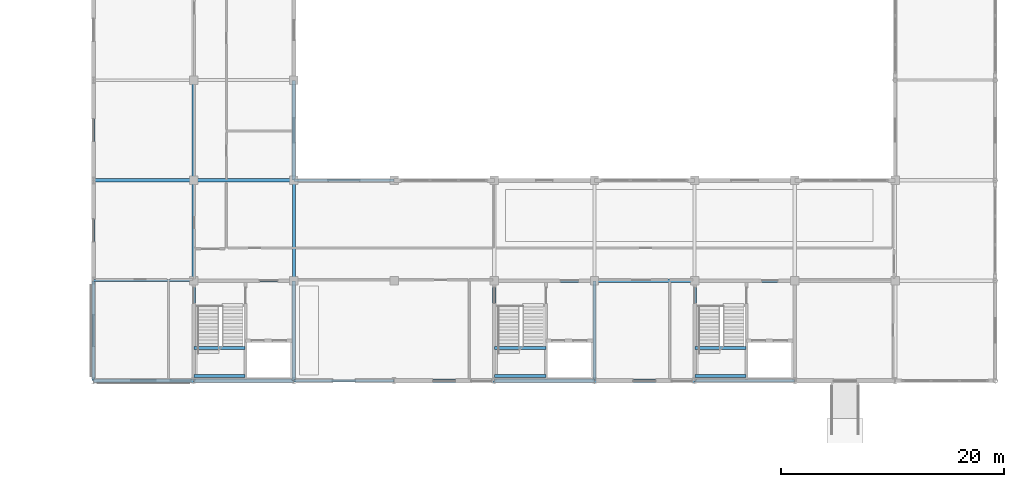
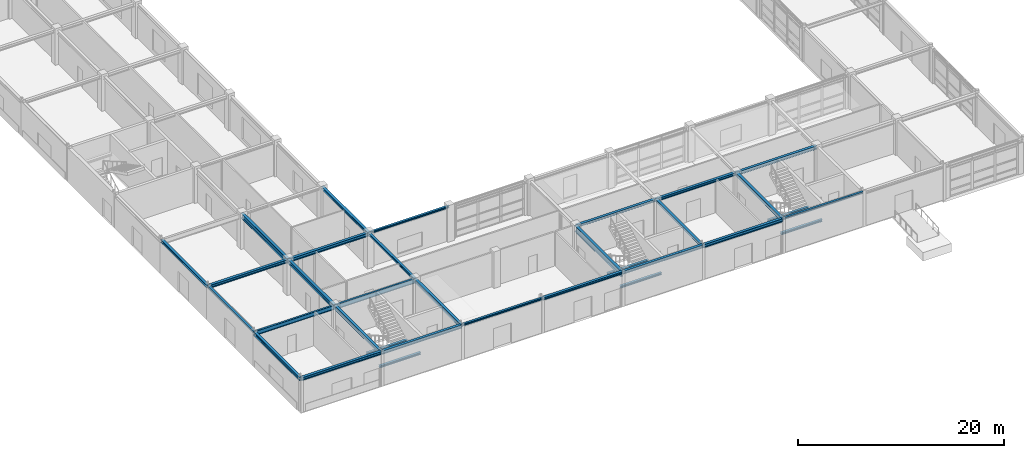
# One storey, part 20 of 72: 33 beams.
"""IFC4 building model written with IfcOpenShell, lengths in metres."""

from ifc_helpers import new_model, si_unit, direction, frame, origin, origin_2d, place, context, subcontext, project, spatial, i_section, extrude, material, material_profile, profile_set, type_object, element, save


model = new_model("IFC4")

# Units and contexts
model_context = context("Model", 3, precision=1e-05, world=origin(), true_north=direction((0.0, 1.0)))
body_context = subcontext(model_context, "Body", "Model", "MODEL_VIEW")
ifc_project = project(units=[si_unit("LENGTHUNIT", "METRE"), si_unit("AREAUNIT", "SQUARE_METRE"), si_unit("VOLUMEUNIT", "CUBIC_METRE"), si_unit("PLANEANGLEUNIT", "RADIAN"), si_unit("MASSUNIT", "GRAM", prefix="KILO")], contexts=[model_context])

# Site, building, storey
site_placement = place(None, origin())
site = spatial("IfcSite", under=ifc_project, at=site_placement, CompositionType="ELEMENT")
building_placement = place(site_placement, origin())
building = spatial("IfcBuilding", under=site, at=building_placement, Name="Palais des Congres Ocreval", CompositionType="ELEMENT")
storey_placement = place(building_placement, origin())
storey = spatial("IfcBuildingStorey", under=building, at=storey_placement, Name="L00", CompositionType="ELEMENT", Elevation=0.0)

# Beams
ifc_material = material(Name="Steel S355", Category="steel")
ifc_material_profile_1 = material_profile(ifc_material, i_section(OverallWidth=0.199951171875, OverallDepth=0.5, WebThickness=0.01025390625, FlangeThickness=0.01611328125, at=origin_2d()), Name="IPE 500")
ifc_profile_set_1 = profile_set([ifc_material_profile_1], Name="Steel S355")
beam_type_1 = type_object("IfcBeamType", Name="Composite Beam IPE 500 Steel S355", PredefinedType="BEAM", material=ifc_profile_set_1)
beam_1_placement = place(storey_placement, frame((0.02001953125, 9.0, 3.804931640625), z_axis=(1.0, 0.0, 0.0), x_axis=(0.0, 1.0, 0.0)))
element("IfcBeam", 1, at=beam_1_placement, inside=storey, type_object=beam_type_1, Name="Beam B04 L00", PredefinedType="BEAM", context=body_context, shape_type="SweptSolid", body=[
    extrude(i_section(OverallWidth=0.199951171875, OverallDepth=0.5, WebThickness=0.01025390625, FlangeThickness=0.01611328125, at=origin_2d()), origin(), (0.0, 0.0, 1.0), 8.9599609375),
])
ifc_material_profile_2 = material_profile(ifc_material, i_section(OverallWidth=0.2099609375, OverallDepth=0.550048828125, WebThickness=0.010986328125, FlangeThickness=0.01708984375, at=origin_2d()), Name="IPE 550")
ifc_profile_set_2 = profile_set([ifc_material_profile_2], Name="Steel S355")
beam_type_2 = type_object("IfcBeamType", Name="Composite Beam IPE 550 Steel S355", PredefinedType="BEAM", material=ifc_profile_set_2)
beam_2_placement = place(storey_placement, frame((9.02001953125, 9.0, 3.780029296875), z_axis=(1.0, 0.0, 0.0), x_axis=(0.0, 1.0, 0.0)))
element("IfcBeam", 2, at=beam_2_placement, inside=storey, type_object=beam_type_2, Name="Beam B05 L00", PredefinedType="BEAM", context=body_context, shape_type="SweptSolid", body=[
    extrude(i_section(OverallWidth=0.2099609375, OverallDepth=0.550048828125, WebThickness=0.010986328125, FlangeThickness=0.01708984375, at=origin_2d()), origin(), (0.0, 0.0, 1.0), 8.9599609375),
])
ifc_material_profile_3 = material_profile(ifc_material, i_section(OverallWidth=0.260009765625, OverallDepth=0.260009765625, WebThickness=0.010009765625, FlangeThickness=0.017578125, at=origin_2d()), Name="HEB 260")
ifc_profile_set_3 = profile_set([ifc_material_profile_3], Name="Steel S355")
beam_type_3 = type_object("IfcBeamType", Name="Opening Lintel HEB 260 Steel S355", PredefinedType="LINTEL", material=ifc_profile_set_3)
for number, where, z_axis, x_axis, name in (
    (3, (0.0, 9.02001953125, 3.925048828125), (0.0, 1.0, 0.0), (-1.0, 0.0, 0.0), "Girder LN01 L00"),
    (4, (18.0, 9.02001953125, 3.925048828125), (0.0, 1.0, 0.0), (-1.0, 0.0, 0.0), "Girder LN01 L00"),
):
    element("IfcBeam", number, at=place(storey_placement, frame(where, z_axis=z_axis, x_axis=x_axis)), inside=storey, type_object=beam_type_3, Name=name, PredefinedType="LINTEL", context=body_context, shape_type="SweptSolid", body=[
        extrude(i_section(OverallWidth=0.260009765625, OverallDepth=0.260009765625, WebThickness=0.010009765625, FlangeThickness=0.017578125, at=origin_2d()), origin(), (0.0, 0.0, 1.0), 8.9599609375),
    ])
for number, where, z_axis, x_axis, name in (
    (5, (9.02001953125, 0.419921875, 1.909912109375), (1.0, 0.0, 0.0), (0.0, 1.0, 0.0), "Stair Landing Support Beam ST01 L00-1"),
    (6, (9.02001953125, 2.929931640625, 1.909912109375), (1.0, 0.0, 0.0), (0.0, 1.0, 0.0), "Stair Landing Support Beam ST01 L00-2"),
    (7, (36.02001953125, 0.419921875, 1.909912109375), (1.0, 0.0, 0.0), (0.0, 1.0, 0.0), "Stair Landing Support Beam ST02 L00-1"),
    (8, (36.02001953125, 2.929931640625, 1.909912109375), (1.0, 0.0, 0.0), (0.0, 1.0, 0.0), "Stair Landing Support Beam ST02 L00-2"),
    (9, (54.02001953125, 0.419921875, 1.909912109375), (1.0, 0.0, 0.0), (0.0, 1.0, 0.0), "Stair Landing Support Beam ST04 L00-1"),
    (10, (54.02001953125, 2.929931640625, 1.909912109375), (1.0, 0.0, 0.0), (0.0, 1.0, 0.0), "Stair Landing Support Beam ST04 L00-2"),
):
    element("IfcBeam", number, at=place(storey_placement, frame(where, z_axis=z_axis, x_axis=x_axis)), inside=storey, type_object=beam_type_3, Name=name, PredefinedType="LINTEL", context=body_context, shape_type="SweptSolid", body=[
        extrude(i_section(OverallWidth=0.260009765625, OverallDepth=0.260009765625, WebThickness=0.010009765625, FlangeThickness=0.017578125, at=origin_2d()), origin(), (0.0, 0.0, 1.0), 4.60986328125),
    ])
ifc_material_profile_4 = material_profile(ifc_material, i_section(OverallWidth=0.239990234375, OverallDepth=0.22998046875, WebThickness=0.007568359375, FlangeThickness=0.011962890625, at=origin_2d()), Name="HEA 240")
ifc_profile_set_4 = profile_set([ifc_material_profile_4], Name="Steel S355")
beam_type_4 = type_object("IfcBeamType", Name="Perimeter Spandrel HEA 240 Steel S355", PredefinedType="SPANDREL", material=ifc_profile_set_4)
for number, where, z_axis, x_axis, name in (
    (11, (18.02001953125, 0.0, 3.93994140625), (1.0, 0.0, 0.0), (0.0, 1.0, 0.0), "Beam SP01 L00"),
    (12, (18.02001953125, 18.0, 3.93994140625), (1.0, 0.0, 0.0), (0.0, 1.0, 0.0), "Beam SP01 L00"),
    (13, (54.02001953125, 0.0, 3.93994140625), (1.0, 0.0, 0.0), (0.0, 1.0, 0.0), "Beam SP01 L00"),
):
    element("IfcBeam", number, at=place(storey_placement, frame(where, z_axis=z_axis, x_axis=x_axis)), inside=storey, type_object=beam_type_4, Name=name, PredefinedType="SPANDREL", context=body_context, shape_type="SweptSolid", body=[
        extrude(i_section(OverallWidth=0.239990234375, OverallDepth=0.22998046875, WebThickness=0.007568359375, FlangeThickness=0.011962890625, at=origin_2d()), origin(), (0.0, 0.0, 1.0), 8.9599609375),
    ])
ifc_material_profile_5 = material_profile(ifc_material, i_section(OverallWidth=0.300048828125, OverallDepth=0.300048828125, WebThickness=0.010986328125, FlangeThickness=0.01904296875, at=origin_2d()), Name="HEB 300")
ifc_profile_set_5 = profile_set([ifc_material_profile_5], Name="Steel S355")
beam_type_5 = type_object("IfcBeamType", Name="Perimeter Spandrel HEB 300 Steel S355", PredefinedType="SPANDREL", material=ifc_profile_set_5)
for number, where, z_axis, x_axis, name in (
    (14, (0.0, 18.02001953125, 3.905029296875), (0.0, 1.0, 0.0), (-1.0, 0.0, 0.0), "Girder SP02 L00"),
    (15, (18.0, 18.02001953125, 3.905029296875), (0.0, 1.0, 0.0), (-1.0, 0.0, 0.0), "Girder SP02 L00"),
    (16, (27.02001953125, 0.0, 3.905029296875), (1.0, 0.0, 0.0), (0.0, 1.0, 0.0), "Beam SP02 L00"),
):
    element("IfcBeam", number, at=place(storey_placement, frame(where, z_axis=z_axis, x_axis=x_axis)), inside=storey, type_object=beam_type_5, Name=name, PredefinedType="SPANDREL", context=body_context, shape_type="SweptSolid", body=[
        extrude(i_section(OverallWidth=0.300048828125, OverallDepth=0.300048828125, WebThickness=0.010986328125, FlangeThickness=0.01904296875, at=origin_2d()), origin(), (0.0, 0.0, 1.0), 8.9599609375),
    ])
ifc_material_profile_6 = material_profile(ifc_material, i_section(OverallWidth=0.300048828125, OverallDepth=0.360107421875, WebThickness=0.012451171875, FlangeThickness=0.0224609375, at=origin_2d()), Name="HEB 360")
ifc_profile_set_6 = profile_set([ifc_material_profile_6], Name="Steel S355")
beam_type_6 = type_object("IfcBeamType", Name="Perimeter Spandrel HEB 360 Steel S355", PredefinedType="SPANDREL", material=ifc_profile_set_6)
for number, where, z_axis, x_axis, name in (
    (17, (0.02001953125, 0.0, 3.875), (1.0, 0.0, 0.0), (0.0, 1.0, 0.0), "Beam SP03 L00"),
    (18, (0.02001953125, 18.0, 3.875), (1.0, 0.0, 0.0), (0.0, 1.0, 0.0), "Beam SP03 L00"),
    (19, (36.02001953125, 0.0, 3.875), (1.0, 0.0, 0.0), (0.0, 1.0, 0.0), "Beam SP03 L00"),
):
    element("IfcBeam", number, at=place(storey_placement, frame(where, z_axis=z_axis, x_axis=x_axis)), inside=storey, type_object=beam_type_6, Name=name, PredefinedType="SPANDREL", context=body_context, shape_type="SweptSolid", body=[
        extrude(i_section(OverallWidth=0.300048828125, OverallDepth=0.360107421875, WebThickness=0.012451171875, FlangeThickness=0.0224609375, at=origin_2d()), origin(), (0.0, 0.0, 1.0), 8.9599609375),
    ])
ifc_material_profile_7 = material_profile(ifc_material, i_section(OverallWidth=0.300048828125, OverallDepth=0.39990234375, WebThickness=0.013427734375, FlangeThickness=0.02392578125, at=origin_2d()), Name="HEB 400")
ifc_profile_set_7 = profile_set([ifc_material_profile_7], Name="Steel S355")
beam_type_7 = type_object("IfcBeamType", Name="Perimeter Spandrel HEB 400 Steel S355", PredefinedType="SPANDREL", material=ifc_profile_set_7)
for number, where, z_axis, x_axis, name in (
    (20, (0.0, 0.02001953125, 3.85498046875), (0.0, 1.0, 0.0), (-1.0, 0.0, 0.0), "Girder SP04 L00"),
    (21, (9.02001953125, 0.0, 3.85498046875), (1.0, 0.0, 0.0), (0.0, 1.0, 0.0), "Beam SP04 L00"),
    (22, (9.02001953125, 18.0, 3.85498046875), (1.0, 0.0, 0.0), (0.0, 1.0, 0.0), "Beam SP04 L00"),
    (23, (18.0, 0.02001953125, 3.85498046875), (0.0, 1.0, 0.0), (-1.0, 0.0, 0.0), "Girder SP04 L00"),
    (24, (45.02001953125, 0.0, 3.85498046875), (1.0, 0.0, 0.0), (0.0, 1.0, 0.0), "Beam SP04 L00"),
    (25, (54.0, 0.02001953125, 3.85498046875), (0.0, 1.0, 0.0), (-1.0, 0.0, 0.0), "Girder SP04 L00"),
):
    element("IfcBeam", number, at=place(storey_placement, frame(where, z_axis=z_axis, x_axis=x_axis)), inside=storey, type_object=beam_type_7, Name=name, PredefinedType="SPANDREL", context=body_context, shape_type="SweptSolid", body=[
        extrude(i_section(OverallWidth=0.300048828125, OverallDepth=0.39990234375, WebThickness=0.013427734375, FlangeThickness=0.02392578125, at=origin_2d()), origin(), (0.0, 0.0, 1.0), 8.9599609375),
    ])
ifc_material_profile_8 = material_profile(ifc_material, i_section(OverallWidth=0.300048828125, OverallDepth=0.2900390625, WebThickness=0.008544921875, FlangeThickness=0.013916015625, at=origin_2d()), Name="HEA 300")
ifc_profile_set_8 = profile_set([ifc_material_profile_8], Name="Steel S355")
beam_type_8 = type_object("IfcBeamType", Name="Primary Beam HEA 300 Steel S355", PredefinedType="BEAM", material=ifc_profile_set_8)
for number, where, z_axis, x_axis, name in (
    (26, (36.02001953125, 9.0, 3.909912109375), (1.0, 0.0, 0.0), (0.0, 1.0, 0.0), "Beam B08 L00"),
    (27, (45.0, 0.02001953125, 3.909912109375), (0.0, 1.0, 0.0), (-1.0, 0.0, 0.0), "Girder B08 L00"),
):
    element("IfcBeam", number, at=place(storey_placement, frame(where, z_axis=z_axis, x_axis=x_axis)), inside=storey, type_object=beam_type_8, Name=name, PredefinedType="BEAM", context=body_context, shape_type="SweptSolid", body=[
        extrude(i_section(OverallWidth=0.300048828125, OverallDepth=0.2900390625, WebThickness=0.008544921875, FlangeThickness=0.013916015625, at=origin_2d()), origin(), (0.0, 0.0, 1.0), 8.9599609375),
    ])
ifc_material_profile_9 = material_profile(ifc_material, i_section(OverallWidth=0.300048828125, OverallDepth=0.330078125, WebThickness=0.009521484375, FlangeThickness=0.0166015625, at=origin_2d()), Name="HEA 340")
ifc_profile_set_9 = profile_set([ifc_material_profile_9], Name="Steel S355")
beam_type_9 = type_object("IfcBeamType", Name="Primary Beam HEA 340 Steel S355", PredefinedType="BEAM", material=ifc_profile_set_9)
beam_3_placement = place(storey_placement, frame((45.02001953125, 9.0, 3.889892578125), z_axis=(1.0, 0.0, 0.0), x_axis=(0.0, 1.0, 0.0)))
element("IfcBeam", 28, at=beam_3_placement, inside=storey, type_object=beam_type_9, Name="Beam B09 L00", PredefinedType="BEAM", context=body_context, shape_type="SweptSolid", body=[
    extrude(i_section(OverallWidth=0.300048828125, OverallDepth=0.330078125, WebThickness=0.009521484375, FlangeThickness=0.0166015625, at=origin_2d()), origin(), (0.0, 0.0, 1.0), 8.9599609375),
])
ifc_material_profile_10 = material_profile(ifc_material, i_section(OverallWidth=0.300048828125, OverallDepth=0.389892578125, WebThickness=0.010986328125, FlangeThickness=0.01904296875, at=origin_2d()), Name="HEA 400")
ifc_profile_set_10 = profile_set([ifc_material_profile_10], Name="Steel S355")
beam_type_10 = type_object("IfcBeamType", Name="Primary Beam HEA 400 Steel S355", PredefinedType="BEAM", material=ifc_profile_set_10)
beam_4_placement = place(storey_placement, frame((54.02001953125, 9.0, 3.860107421875), z_axis=(1.0, 0.0, 0.0), x_axis=(0.0, 1.0, 0.0)))
element("IfcBeam", 29, at=beam_4_placement, inside=storey, type_object=beam_type_10, Name="Beam B10 L00", PredefinedType="BEAM", context=body_context, shape_type="SweptSolid", body=[
    extrude(i_section(OverallWidth=0.300048828125, OverallDepth=0.389892578125, WebThickness=0.010986328125, FlangeThickness=0.01904296875, at=origin_2d()), origin(), (0.0, 0.0, 1.0), 8.9599609375),
])
ifc_material_profile_11 = material_profile(ifc_material, i_section(OverallWidth=0.300048828125, OverallDepth=0.43994140625, WebThickness=0.011474609375, FlangeThickness=0.02099609375, at=origin_2d()), Name="HEA 450")
ifc_profile_set_11 = profile_set([ifc_material_profile_11], Name="Steel S355")
beam_type_11 = type_object("IfcBeamType", Name="Primary Beam HEA 450 Steel S355", PredefinedType="BEAM", material=ifc_profile_set_11)
beam_5_placement = place(storey_placement, frame((9.0, 0.02001953125, 3.8349609375), z_axis=(0.0, 1.0, 0.0), x_axis=(-1.0, 0.0, 0.0)))
element("IfcBeam", 30, at=beam_5_placement, inside=storey, type_object=beam_type_11, Name="Girder B11 L00", PredefinedType="BEAM", context=body_context, shape_type="SweptSolid", body=[
    extrude(i_section(OverallWidth=0.300048828125, OverallDepth=0.43994140625, WebThickness=0.011474609375, FlangeThickness=0.02099609375, at=origin_2d()), origin(), (0.0, 0.0, 1.0), 8.9599609375),
])
ifc_material_profile_12 = material_profile(ifc_material, i_section(OverallWidth=0.300048828125, OverallDepth=0.489990234375, WebThickness=0.011962890625, FlangeThickness=0.02294921875, at=origin_2d()), Name="HEA 500")
ifc_profile_set_12 = profile_set([ifc_material_profile_12], Name="Steel S355")
beam_type_12 = type_object("IfcBeamType", Name="Primary Beam HEA 500 Steel S355", PredefinedType="BEAM", material=ifc_profile_set_12)
beam_6_placement = place(storey_placement, frame((9.0, 9.02001953125, 3.81005859375), z_axis=(0.0, 1.0, 0.0), x_axis=(-1.0, 0.0, 0.0)))
element("IfcBeam", 31, at=beam_6_placement, inside=storey, type_object=beam_type_12, Name="Girder B12 L00", PredefinedType="BEAM", context=body_context, shape_type="SweptSolid", body=[
    extrude(i_section(OverallWidth=0.300048828125, OverallDepth=0.489990234375, WebThickness=0.011962890625, FlangeThickness=0.02294921875, at=origin_2d()), origin(), (0.0, 0.0, 1.0), 8.9599609375),
])
ifc_material_profile_13 = material_profile(ifc_material, i_section(OverallWidth=0.300048828125, OverallDepth=0.590087890625, WebThickness=0.012939453125, FlangeThickness=0.02490234375, at=origin_2d()), Name="HEA 600")
ifc_profile_set_13 = profile_set([ifc_material_profile_13], Name="Steel S355")
beam_type_13 = type_object("IfcBeamType", Name="Primary Girder HEA 600 Steel S355", PredefinedType="BEAM", material=ifc_profile_set_13)
beam_7_placement = place(storey_placement, frame((9.0, 18.02001953125, 3.760009765625), z_axis=(0.0, 1.0, 0.0), x_axis=(-1.0, 0.0, 0.0)))
element("IfcBeam", 32, at=beam_7_placement, inside=storey, type_object=beam_type_13, Name="Girder B13 L00", PredefinedType="BEAM", context=body_context, shape_type="SweptSolid", body=[
    extrude(i_section(OverallWidth=0.300048828125, OverallDepth=0.590087890625, WebThickness=0.012939453125, FlangeThickness=0.02490234375, at=origin_2d()), origin(), (0.0, 0.0, 1.0), 8.9599609375),
])
ifc_material_profile_14 = material_profile(ifc_material, i_section(OverallWidth=0.300048828125, OverallDepth=0.68994140625, WebThickness=0.014404296875, FlangeThickness=0.027099609375, at=origin_2d()), Name="HEA 700")
ifc_profile_set_14 = profile_set([ifc_material_profile_14], Name="Steel S355")
beam_type_14 = type_object("IfcBeamType", Name="Primary Girder HEA 700 Steel S355", PredefinedType="BEAM", material=ifc_profile_set_14)
beam_8_placement = place(storey_placement, frame((36.0, 0.02001953125, 3.7099609375), z_axis=(0.0, 1.0, 0.0), x_axis=(-1.0, 0.0, 0.0)))
element("IfcBeam", 33, at=beam_8_placement, inside=storey, type_object=beam_type_14, Name="Girder B14 L00", PredefinedType="BEAM", context=body_context, shape_type="SweptSolid", body=[
    extrude(i_section(OverallWidth=0.300048828125, OverallDepth=0.68994140625, WebThickness=0.014404296875, FlangeThickness=0.027099609375, at=origin_2d()), origin(), (0.0, 0.0, 1.0), 8.9599609375),
])

save(model, "model.ifc")
